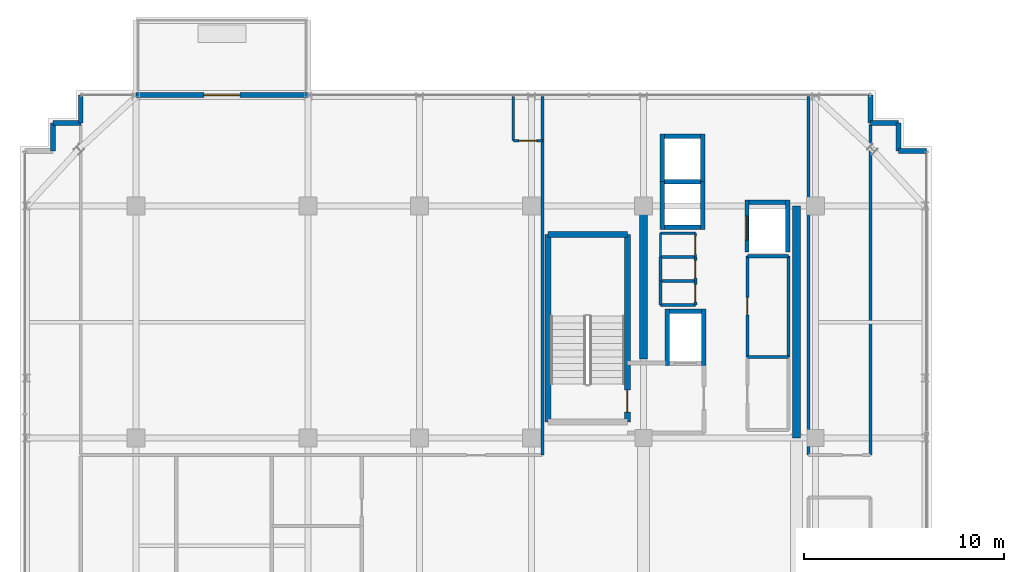
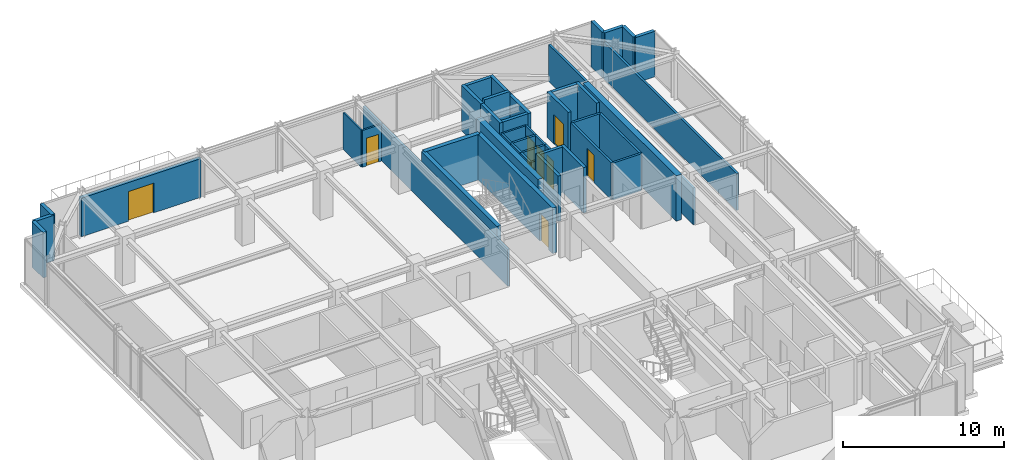
# One storey, part 26 of 31: 45 walls, 8 doors, 8 openings.
"""IFC4 building model written with IfcOpenShell, lengths in metres."""

from ifc_helpers import new_model, si_unit, direction, frame, frame_2d, origin, place, context, subcontext, project, spatial, rectangle, extrude, source, transform, mapped, material, layer, layer_set, type_object, element, fill, save


model = new_model("IFC4")

# Units and contexts
model_context = context("Model", 3, precision=1e-05, world=origin(), true_north=direction((0.0, 1.0)))
body_context = subcontext(model_context, "Body", "Model", "MODEL_VIEW")
ifc_project = project(units=[si_unit("LENGTHUNIT", "METRE"), si_unit("AREAUNIT", "SQUARE_METRE"), si_unit("VOLUMEUNIT", "CUBIC_METRE"), si_unit("PLANEANGLEUNIT", "RADIAN"), si_unit("MASSUNIT", "GRAM", prefix="KILO")], contexts=[model_context])

# Site, building, storey
site_placement = place(None, origin())
site = spatial("IfcSite", under=ifc_project, at=site_placement, CompositionType="ELEMENT")
building_placement = place(site_placement, origin())
building = spatial("IfcBuilding", under=site, at=building_placement, Name="Nahalor Promenade Grand Hotel", CompositionType="ELEMENT")
storey_placement = place(building_placement, frame((0.0, 0.0, 281.300048828125)))
storey = spatial("IfcBuildingStorey", under=building, at=storey_placement, Name="L72", CompositionType="ELEMENT", Elevation=281.300048828125)

# Walls
ifc_material_1 = material(Name="Concrete B-50 (C40/50)", Category="concrete")
ifc_layer_1 = layer(ifc_material_1, 0.39990234375)
ifc_layer_set_1 = layer_set([ifc_layer_1], Name="Concrete B-50 (C40/50)")
wall_type_1 = type_object("IfcWallType", Name="Wall-CoreShear-400", PredefinedType="SHEAR", material=ifc_layer_set_1)
shared_shape_1 = source(origin(), body_context, "Body", "SweptSolid", [
    extrude(rectangle(XDim=7.64990234375, YDim=0.39990234375, at=frame_2d((3.824951171875, 0.0))), origin(), (0.0, 0.0, 1.0), 3.449951171875),
])
wall_1_placement = place(storey_placement, frame((8.39990234375, 9.35009765625, 0.0), z_axis=(0.0, 0.0, 1.0), x_axis=(0.0, 1.0, 0.0)))
element("IfcWall", 1, at=wall_1_placement, inside=storey, type_object=wall_type_1, Name="CWALL-L72-NW", PredefinedType="SHEAR", context=body_context, shape_type="MappedRepresentation", body=[
    mapped(shared_shape_1, transform((0.0, 0.0, 0.0), scale=1.0)),
])
shared_shape_2 = source(origin(), body_context, "Body", "SweptSolid", [
    extrude(rectangle(XDim=11.60009765625, YDim=0.39990234375, at=frame_2d((5.800048828125, 0.0))), origin(), (0.0, 0.0, 1.0), 3.449951171875),
])
wall_2_placement = place(storey_placement, frame((16.050048828125, 5.39990234375, 0.0), z_axis=(0.0, 0.0, 1.0), x_axis=(0.0, 1.0, 0.0)))
element("IfcWall", 2, at=wall_2_placement, inside=storey, type_object=wall_type_1, Name="CWALL-L72-NE", PredefinedType="SHEAR", context=body_context, shape_type="MappedRepresentation", body=[
    mapped(shared_shape_2, transform((0.0, 0.0, 0.0), scale=1.0)),
])
ifc_layer_2 = layer(ifc_material_1, 0.300048828125)
ifc_layer_set_2 = layer_set([ifc_layer_2], Name="Concrete B-50 (C40/50)")
wall_type_2 = type_object("IfcWallType", Name="Wall-ShaftShear-300", PredefinedType="SHEAR", material=ifc_layer_set_2)
shared_shape_3 = source(origin(), body_context, "Body", "SweptSolid", [
    extrude(rectangle(XDim=3.97998046875, YDim=0.300048828125, at=frame_2d((1.989990234375, 0.0))), origin(), (0.0, 0.0, 1.0), 3.449951171875),
])
wall_3_placement = place(storey_placement, frame((3.610107421875, 15.590087890625, 0.0), z_axis=(0.0, 0.0, 1.0), x_axis=(1.0, 0.0, 0.0)))
element("IfcWall", 3, at=wall_3_placement, inside=storey, type_object=wall_type_2, Name="L72 Exit Stair ST1 Shaft Wall N", PredefinedType="SHEAR", context=body_context, shape_type="MappedRepresentation", body=[
    mapped(shared_shape_3, transform((0.0, 0.0, 0.0), scale=1.0)),
])
shared_shape_4 = source(origin(), body_context, "Body", "SweptSolid", [
    extrude(rectangle(XDim=9.380126953125, YDim=0.300048828125, at=frame_2d((4.68994140625, 0.0))), origin(), (0.0, 0.0, 1.0), 3.449951171875),
])
wall_4_placement = place(storey_placement, frame((3.610107421875, 6.2099609375, 0.0), z_axis=(0.0, 0.0, 1.0), x_axis=(0.0, 1.0, 0.0)))
element("IfcWall", 4, at=wall_4_placement, inside=storey, type_object=wall_type_2, Name="L72 Exit Stair ST1 Shaft Wall W", PredefinedType="SHEAR", context=body_context, shape_type="MappedRepresentation", body=[
    mapped(shared_shape_4, transform((0.0, 0.0, 0.0), scale=1.0)),
])

# Wall, opening, door
wall_5_placement = place(storey_placement, frame((7.590087890625, 6.2099609375, 0.0), z_axis=(0.0, 0.0, 1.0), x_axis=(0.0, 1.0, 0.0)))
wall_5 = element("IfcWall", 5, at=wall_5_placement, inside=storey, type_object=wall_type_2, Name="L72 Exit Stair ST1 Shaft Wall E", PredefinedType="SHEAR", context=body_context, shape_type="MappedRepresentation", body=[
    mapped(shared_shape_4, transform((0.0, 0.0, 0.0), scale=1.0)),
])
opening_1_placement = place(wall_5_placement, frame((0.489990234375, 0.0, 0.0)))
opening_1 = element("IfcOpeningElement", 6, at=opening_1_placement, cuts=wall_5, Name="Opening D-ST1", PredefinedType="OPENING", context=body_context, shape_type="SweptSolid", body=[
    extrude(rectangle(XDim=1.10009765625, YDim=2.14990234375, at=frame_2d((0.550048828125, 1.074951171875))), frame((0.0, 0.159912109375, 0.0), z_axis=(0.0, -1.0, 0.0), x_axis=(1.0, 0.0, 0.0)), (0.0, 0.0, 1.0), 0.320068359375),
])
ifc_material_2 = material(Name="Steel S355JR", Category="steel")
door_type_1 = type_object("IfcDoorType", Name="Door-StairFire-1100", OperationType="NOTDEFINED", PredefinedType="DOOR", material=ifc_material_2)
shared_shape_5 = source(origin(), body_context, "Body", "SweptSolid", [
    extrude(rectangle(XDim=1.10009765625, YDim=2.14990234375, at=frame_2d((0.550048828125, 1.074951171875))), frame((0.0, 0.02490234375, 0.0), z_axis=(0.0, -1.0, 0.0), x_axis=(1.0, 0.0, 0.0)), (0.0, 0.0, 1.0), 0.050048828125),
])
door_1_placement = place(opening_1_placement, origin())
door_1 = element("IfcDoor", 7, at=door_1_placement, inside=storey, type_object=door_type_1, Name="DR-STAIR-ST1-L72", OperationType="SINGLE_SWING_LEFT", OverallHeight=2.14990234375, OverallWidth=1.10009765625, PredefinedType="DOOR", context=body_context, shape_type="MappedRepresentation", body=[
    mapped(shared_shape_5, transform((0.0, 0.0, 0.0), scale=1.0)),
])
fill(opening_1, door_1)

# Walls
ifc_layer_3 = layer(ifc_material_1, 0.219970703125)
ifc_layer_set_3 = layer_set([ifc_layer_3], Name="Concrete B-50 (C40/50)")
wall_type_3 = type_object("IfcWallType", Name="Wall-LiftShaft-220", PredefinedType="SHEAR", material=ifc_layer_set_3)
shared_shape_6 = source(origin(), body_context, "Body", "SweptSolid", [
    extrude(rectangle(XDim=1.820068359375, YDim=0.219970703125, at=frame_2d((0.91015625, 0.0))), origin(), (0.0, 0.0, 1.0), 3.449951171875),
])
for number, where, z_axis, x_axis, name in (
    (8, (9.43994140625, 15.949951171875, 0.0), (0.0, 0.0, 1.0), (1.0, 0.0, 0.0), "L72 Lift OB1 Hoistway Wall S"),
    (9, (9.43994140625, 20.5, 0.0), (0.0, 0.0, 1.0), (1.0, 0.0, 0.0), "L72 Lift OB2 Hoistway Wall N"),
    (10, (13.68994140625, 17.199951171875, 0.0), (0.0, 0.0, 1.0), (1.0, 0.0, 0.0), "L72 Lift SV1 Hoistway Wall N"),
):
    element("IfcWall", number, at=place(storey_placement, frame(where, z_axis=z_axis, x_axis=x_axis)), inside=storey, type_object=wall_type_3, Name=name, PredefinedType="SHEAR", context=body_context, shape_type="MappedRepresentation", body=[
        mapped(shared_shape_6, transform((0.0, 0.0, 0.0), scale=1.0)),
    ])
shared_shape_7 = source(origin(), body_context, "Body", "SweptSolid", [
    extrude(rectangle(XDim=1.820068359375, YDim=0.219970703125, at=frame_2d((0.91015625, 0.0))), origin(), (0.0, 0.0, 1.0), 3.75),
])
wall_6_placement = place(storey_placement, frame((9.43994140625, 18.22509765625, 0.0), z_axis=(0.0, 0.0, 1.0), x_axis=(1.0, 0.0, 0.0)))
element("IfcWall", 11, at=wall_6_placement, inside=storey, type_object=wall_type_3, Name="L72 Lift OB1 Hoistway Wall N", PredefinedType="SHEAR", context=body_context, shape_type="MappedRepresentation", body=[
    mapped(shared_shape_7, transform((0.0, 0.0, 0.0), scale=1.0)),
])
shared_shape_8 = source(origin(), body_context, "Body", "SweptSolid", [
    extrude(rectangle(XDim=2.385009765625, YDim=0.219970703125, at=frame_2d((1.1923828125, 0.0))), origin(), (0.0, 0.0, 1.0), 3.449951171875),
])
for number, where, z_axis, x_axis, name in (
    (12, (9.330078125, 15.840087890625, 0.0), (0.0, 0.0, 1.0), (0.0, 1.0, 0.0), "L72 Lift OB1 Hoistway Wall W"),
    (13, (11.3701171875, 15.840087890625, 0.0), (0.0, 0.0, 1.0), (0.0, 1.0, 0.0), "L72 Lift OB1 Hoistway Wall E"),
    (14, (9.330078125, 18.22509765625, 0.0), (0.0, 0.0, 1.0), (0.0, 1.0, 0.0), "L72 Lift OB2 Hoistway Wall W"),
    (15, (11.3701171875, 18.22509765625, 0.0), (0.0, 0.0, 1.0), (0.0, 1.0, 0.0), "L72 Lift OB2 Hoistway Wall E"),
):
    element("IfcWall", number, at=place(storey_placement, frame(where, z_axis=z_axis, x_axis=x_axis)), inside=storey, type_object=wall_type_3, Name=name, PredefinedType="SHEAR", context=body_context, shape_type="MappedRepresentation", body=[
        mapped(shared_shape_8, transform((0.0, 0.0, 0.0), scale=1.0)),
    ])
shared_shape_9 = source(origin(), body_context, "Body", "SweptSolid", [
    extrude(rectangle(XDim=2.820068359375, YDim=0.219970703125, at=frame_2d((1.41015625, 0.0))), origin(), (0.0, 0.0, 1.0), 3.449951171875),
])
for number, where, z_axis, x_axis, name in (
    (16, (9.580078125, 9.0400390625, 0.0), (0.0, 0.0, 1.0), (0.0, 1.0, 0.0), "L72 Lift FL1 Hoistway Wall W"),
    (17, (11.419921875, 9.0400390625, 0.0), (0.0, 0.0, 1.0), (0.0, 1.0, 0.0), "L72 Lift FL1 Hoistway Wall E"),
):
    element("IfcWall", number, at=place(storey_placement, frame(where, z_axis=z_axis, x_axis=x_axis)), inside=storey, type_object=wall_type_3, Name=name, PredefinedType="SHEAR", context=body_context, shape_type="MappedRepresentation", body=[
        mapped(shared_shape_9, transform((0.0, 0.0, 0.0), scale=1.0)),
    ])
shared_shape_10 = source(origin(), body_context, "Body", "SweptSolid", [
    extrude(rectangle(XDim=1.6201171875, YDim=0.219970703125, at=frame_2d((0.81005859375, 0.0))), origin(), (0.0, 0.0, 1.0), 3.449951171875),
])
wall_7_placement = place(storey_placement, frame((9.68994140625, 11.75, 0.0), z_axis=(0.0, 0.0, 1.0), x_axis=(1.0, 0.0, 0.0)))
element("IfcWall", 18, at=wall_7_placement, inside=storey, type_object=wall_type_3, Name="L72 Lift FL1 Hoistway Wall N", PredefinedType="SHEAR", context=body_context, shape_type="MappedRepresentation", body=[
    mapped(shared_shape_10, transform((0.0, 0.0, 0.0), scale=1.0)),
])

# Wall, opening, door
shared_shape_11 = source(origin(), body_context, "Body", "SweptSolid", [
    extrude(rectangle(XDim=2.610107421875, YDim=0.219970703125, at=frame_2d((1.30517578125, 0.0))), origin(), (0.0, 0.0, 1.0), 3.449951171875),
])
wall_8_placement = place(storey_placement, frame((13.580078125, 14.699951171875, 0.0), z_axis=(0.0, 0.0, 1.0), x_axis=(0.0, 1.0, 0.0)))
wall_8 = element("IfcWall", 19, at=wall_8_placement, inside=storey, type_object=wall_type_3, Name="L72 Lift SV1 Hoistway Wall W", PredefinedType="SHEAR", context=body_context, shape_type="MappedRepresentation", body=[
    mapped(shared_shape_11, transform((0.0, 0.0, 0.0), scale=1.0)),
])
opening_2_placement = place(wall_8_placement, frame((0.60009765625, 0.0, 0.0)))
opening_2 = element("IfcOpeningElement", 20, at=opening_2_placement, cuts=wall_8, Name="Opening LD-03", PredefinedType="OPENING", context=body_context, shape_type="SweptSolid", body=[
    extrude(rectangle(XDim=1.199951171875, YDim=2.199951171875, at=frame_2d((0.60009765625, 1.10009765625))), frame((0.0, 0.119873046875, 0.0), z_axis=(0.0, -1.0, 0.0), x_axis=(1.0, 0.0, 0.0)), (0.0, 0.0, 1.0), 0.239990234375),
])
door_type_2 = type_object("IfcDoorType", Name="Door-LiftService-1200", OperationType="DOUBLE_DOOR_SLIDING", PredefinedType="DOOR", material=ifc_material_2)
shared_shape_12 = source(origin(), body_context, "Body", "SweptSolid", [
    extrude(rectangle(XDim=1.199951171875, YDim=2.199951171875, at=frame_2d((0.60009765625, 1.10009765625))), frame((0.0, 0.02490234375, 0.0), z_axis=(0.0, -1.0, 0.0), x_axis=(1.0, 0.0, 0.0)), (0.0, 0.0, 1.0), 0.050048828125),
])
door_2_placement = place(opening_2_placement, origin())
door_2 = element("IfcDoor", 21, at=door_2_placement, inside=storey, type_object=door_type_2, Name="DR-LIFT-SV1-L72", OperationType="DOUBLE_DOOR_SLIDING", OverallHeight=2.199951171875, OverallWidth=1.199951171875, PredefinedType="DOOR", context=body_context, shape_type="MappedRepresentation", body=[
    mapped(shared_shape_12, transform((0.0, 0.0, 0.0), scale=1.0)),
])
fill(opening_2, door_2)

# Walls
wall_9_placement = place(storey_placement, frame((15.6201171875, 14.699951171875, 0.0), z_axis=(0.0, 0.0, 1.0), x_axis=(0.0, 1.0, 0.0)))
element("IfcWall", 22, at=wall_9_placement, inside=storey, type_object=wall_type_3, Name="L72 Lift SV1 Hoistway Wall E", PredefinedType="SHEAR", context=body_context, shape_type="MappedRepresentation", body=[
    mapped(shared_shape_11, transform((0.0, 0.0, 0.0), scale=1.0)),
])
ifc_material_3 = material(Name="Concrete B-40 (C32/40)", Category="concrete")
ifc_layer_4 = layer(ifc_material_3, 0.25)
ifc_layer_set_4 = layer_set([ifc_layer_4], Name="Concrete B-40 (C32/40)")
wall_type_4 = type_object("IfcWallType", Name="Wall-BronzePier-250", PredefinedType="STANDARD", material=ifc_layer_set_4)
shared_shape_13 = source(origin(), body_context, "Body", "SweptSolid", [
    extrude(rectangle(XDim=1.400146484375, YDim=0.25, at=frame_2d((0.7001953125, 0.0))), origin(), (0.0, 0.0, 1.0), 3.449951171875),
])
for number, where, z_axis, x_axis, name in (
    (23, (21.159912109375, 19.760009765625, 0.0), (0.0, 0.0, 1.0), (1.0, 0.0, 0.0), "W-L72-SR-05"),
    (24, (19.760009765625, 21.159912109375, 0.0), (0.0, 0.0, 1.0), (0.0, 1.0, 0.0), "W-L72-SR-08"),
    (25, (-19.760009765625, 21.159912109375, 0.0), (0.0, 0.0, 1.0), (0.0, 1.0, 0.0), "W-L72-SR-09"),
):
    element("IfcWall", number, at=place(storey_placement, frame(where, z_axis=z_axis, x_axis=x_axis)), inside=storey, type_object=wall_type_4, Name=name, PredefinedType="STANDARD", context=body_context, shape_type="MappedRepresentation", body=[
        mapped(shared_shape_13, transform((0.0, 0.0, 0.0), scale=1.0)),
    ])
shared_shape_14 = source(origin(), body_context, "Body", "SweptSolid", [
    extrude(rectangle(XDim=1.39990234375, YDim=0.25, at=frame_2d((0.699951171875, 0.0))), origin(), (0.0, 0.0, 1.0), 3.449951171875),
])
for number, where, z_axis, x_axis, name in (
    (26, (21.159912109375, 19.760009765625, 0.0), (0.0, 0.0, 1.0), (0.0, 1.0, 0.0), "W-L72-SR-06"),
    (27, (19.760009765625, 21.159912109375, 0.0), (0.0, 0.0, 1.0), (1.0, 0.0, 0.0), "W-L72-SR-07"),
    (28, (-21.159912109375, 21.159912109375, 0.0), (0.0, 0.0, 1.0), (1.0, 0.0, 0.0), "W-L72-SR-10"),
    (29, (-21.159912109375, 19.760009765625, 0.0), (0.0, 0.0, 1.0), (0.0, 1.0, 0.0), "W-L72-SR-11"),
):
    element("IfcWall", number, at=place(storey_placement, frame(where, z_axis=z_axis, x_axis=x_axis)), inside=storey, type_object=wall_type_4, Name=name, PredefinedType="STANDARD", context=body_context, shape_type="MappedRepresentation", body=[
        mapped(shared_shape_14, transform((0.0, 0.0, 0.0), scale=1.0)),
    ])

# Wall, opening, door
ifc_layer_5 = layer(ifc_material_3, 0.260009765625)
ifc_layer_set_5 = layer_set([ifc_layer_5], Name="Concrete B-40 (C32/40)")
wall_type_5 = type_object("IfcWallType", Name="Wall-BalconyWall-260", PredefinedType="STANDARD", material=ifc_layer_set_5)
shared_shape_15 = source(origin(), body_context, "Body", "SweptSolid", [
    extrude(rectangle(XDim=8.60009765625, YDim=0.260009765625, at=frame_2d((4.300048828125, 0.0))), origin(), (0.0, 0.0, 1.0), 2.929931640625),
])
wall_10_placement = place(storey_placement, frame((-17.0, 22.56005859375, 0.0), z_axis=(0.0, 0.0, 1.0), x_axis=(1.0, 0.0, 0.0)))
wall_10 = element("IfcWall", 30, at=wall_10_placement, inside=storey, type_object=wall_type_5, Name="W-L72-BALC-N-2", PredefinedType="STANDARD", context=body_context, shape_type="MappedRepresentation", body=[
    mapped(shared_shape_15, transform((0.0, 0.0, 0.0), scale=1.0)),
])
opening_3_placement = place(wall_10_placement, frame((3.39990234375, 0.0, 0.0)))
opening_3 = element("IfcOpeningElement", 31, at=opening_3_placement, cuts=wall_10, Name="Opening D-BC1", PredefinedType="OPENING", context=body_context, shape_type="SweptSolid", body=[
    extrude(rectangle(XDim=1.800048828125, YDim=2.25, at=frame_2d((0.89990234375, 1.125))), frame((0.0, 0.139892578125, 0.0), z_axis=(0.0, -1.0, 0.0), x_axis=(1.0, 0.0, 0.0)), (0.0, 0.0, 1.0), 0.280029296875),
])
ifc_material_4 = material(Name="Anodised Bronze Aluminium EN AW-6063 T6", Category="aluminium")
door_type_3 = type_object("IfcDoorType", Name="Door-BalconySlide-1800", OperationType="DOUBLE_DOOR_SLIDING", PredefinedType="DOOR", material=ifc_material_4)
shared_shape_16 = source(origin(), body_context, "Body", "SweptSolid", [
    extrude(rectangle(XDim=1.800048828125, YDim=2.25, at=frame_2d((0.89990234375, 1.125))), frame((0.0, 0.02490234375, 0.0), z_axis=(0.0, -1.0, 0.0), x_axis=(1.0, 0.0, 0.0)), (0.0, 0.0, 1.0), 0.050048828125),
])
door_3_placement = place(opening_3_placement, origin())
door_3 = element("IfcDoor", 32, at=door_3_placement, inside=storey, type_object=door_type_3, Name="DR-L72-BALC-N-2", OperationType="DOUBLE_DOOR_SLIDING", OverallHeight=2.25, OverallWidth=1.800048828125, PredefinedType="DOOR", context=body_context, shape_type="MappedRepresentation", body=[
    mapped(shared_shape_16, transform((0.0, 0.0, 0.0), scale=1.0)),
])
fill(opening_3, door_3)

# Walls
ifc_material_5 = material(Name="Acoustic Mineral Gypsum", Category="gypsum")
ifc_layer_6 = layer(ifc_material_5, 0.14990234375)
ifc_layer_set_6 = layer_set([ifc_layer_6], Name="Acoustic Mineral Gypsum")
wall_type_6 = type_object("IfcWallType", Name="Wall-PartService-150", PredefinedType="PARTITIONING", material=ifc_layer_set_6)
shared_shape_17 = source(origin(), body_context, "Body", "SweptSolid", [
    extrude(rectangle(XDim=1.75, YDim=0.14990234375, at=frame_2d((0.875, 0.0))), origin(), (0.0, 0.0, 1.0), 2.7900390625),
])
for number, where, z_axis, x_axis, name in (
    (33, (9.25, 12.050048828125, 0.0), (0.0, 0.0, 1.0), (1.0, 0.0, 0.0), "W-L72-CK3A-S"),
    (34, (9.25, 13.25, 0.0), (0.0, 0.0, 1.0), (1.0, 0.0, 0.0), "W-L72-CK3A-N"),
    (35, (9.25, 14.449951171875, 0.0), (0.0, 0.0, 1.0), (1.0, 0.0, 0.0), "W-L72-CK3B-N"),
):
    element("IfcWall", number, at=place(storey_placement, frame(where, z_axis=z_axis, x_axis=x_axis)), inside=storey, type_object=wall_type_6, Name=name, PredefinedType="PARTITIONING", context=body_context, shape_type="MappedRepresentation", body=[
        mapped(shared_shape_17, transform((0.0, 0.0, 0.0), scale=1.0)),
    ])
ifc_layer_7 = layer(ifc_material_5, 0.1201171875)
ifc_layer_set_7 = layer_set([ifc_layer_7], Name="Acoustic Mineral Gypsum")
wall_type_7 = type_object("IfcWallType", Name="Wall-PartBath-120", PredefinedType="PARTITIONING", material=ifc_layer_set_7)
shared_shape_18 = source(origin(), body_context, "Body", "SweptSolid", [
    extrude(rectangle(XDim=1.75, YDim=0.1201171875, at=frame_2d((0.875, 0.0))), origin(), (0.0, 0.0, 1.0), 2.7900390625),
])
wall_11_placement = place(storey_placement, frame((9.25, 15.64990234375, 0.0), z_axis=(0.0, 0.0, 1.0), x_axis=(1.0, 0.0, 0.0)))
element("IfcWall", 36, at=wall_11_placement, inside=storey, type_object=wall_type_7, Name="W-L72-CK3C-N", PredefinedType="PARTITIONING", context=body_context, shape_type="MappedRepresentation", body=[
    mapped(shared_shape_18, transform((0.0, 0.0, 0.0), scale=1.0)),
])
ifc_layer_8 = layer(ifc_material_5, 0.159912109375)
ifc_layer_set_8 = layer_set([ifc_layer_8], Name="Acoustic Mineral Gypsum")
wall_type_8 = type_object("IfcWallType", Name="Wall-PartCorridor-160", PredefinedType="PARTITIONING", material=ifc_layer_set_8)
shared_shape_19 = source(origin(), body_context, "Body", "SweptSolid", [
    extrude(rectangle(XDim=2.0498046875, YDim=0.159912109375, at=frame_2d((1.02490234375, 0.0))), origin(), (0.0, 0.0, 1.0), 2.7900390625),
])
for number, where, z_axis, x_axis, name in (
    (37, (13.60009765625, 9.449951171875, 0.0), (0.0, 0.0, 1.0), (1.0, 0.0, 0.0), "W-L72-FRB1A-N"),
    (38, (13.60009765625, 14.5, 0.0), (0.0, 0.0, 1.0), (1.0, 0.0, 0.0), "W-L72-FRB1B-N"),
):
    element("IfcWall", number, at=place(storey_placement, frame(where, z_axis=z_axis, x_axis=x_axis)), inside=storey, type_object=wall_type_8, Name=name, PredefinedType="PARTITIONING", context=body_context, shape_type="MappedRepresentation", body=[
        mapped(shared_shape_19, transform((0.0, 0.0, 0.0), scale=1.0)),
    ])
shared_shape_20 = source(origin(), body_context, "Body", "SweptSolid", [
    extrude(rectangle(XDim=17.949951171875, YDim=0.159912109375, at=frame_2d((8.97509765625, 0.0))), origin(), (0.0, 0.0, 1.0), 2.7900390625),
])
wall_12_placement = place(storey_placement, frame((16.64990234375, 4.550048828125, 0.0), z_axis=(0.0, 0.0, 1.0), x_axis=(0.0, 1.0, 0.0)))
element("IfcWall", 39, at=wall_12_placement, inside=storey, type_object=wall_type_8, Name="W-L72-ENE-W", PredefinedType="PARTITIONING", context=body_context, shape_type="MappedRepresentation", body=[
    mapped(shared_shape_20, transform((0.0, 0.0, 0.0), scale=1.0)),
])
shared_shape_21 = source(origin(), body_context, "Body", "SweptSolid", [
    extrude(rectangle(XDim=16.530029296875, YDim=0.159912109375, at=frame_2d((8.26513671875, 0.0))), origin(), (0.0, 0.0, 1.0), 2.7900390625),
])
wall_13_placement = place(storey_placement, frame((19.760009765625, 4.550048828125, 0.0), z_axis=(0.0, 0.0, 1.0), x_axis=(0.0, 1.0, 0.0)))
element("IfcWall", 40, at=wall_13_placement, inside=storey, type_object=wall_type_8, Name="W-L72-ENE-E", PredefinedType="PARTITIONING", context=body_context, shape_type="MappedRepresentation", body=[
    mapped(shared_shape_21, transform((0.0, 0.0, 0.0), scale=1.0)),
])
ifc_layer_9 = layer(ifc_material_5, 0.139892578125)
ifc_layer_set_9 = layer_set([ifc_layer_9], Name="Acoustic Mineral Gypsum")
wall_type_9 = type_object("IfcWallType", Name="Wall-PartSuite-140", PredefinedType="PARTITIONING", material=ifc_layer_set_9)
shared_shape_22 = source(origin(), body_context, "Body", "SweptSolid", [
    extrude(rectangle(XDim=17.949951171875, YDim=0.139892578125, at=frame_2d((8.97509765625, 0.0))), origin(), (0.0, 0.0, 1.0), 2.7900390625),
])
wall_14_placement = place(storey_placement, frame((3.340087890625, 4.550048828125, 0.0), z_axis=(0.0, 0.0, 1.0), x_axis=(0.0, 1.0, 0.0)))
element("IfcWall", 41, at=wall_14_placement, inside=storey, type_object=wall_type_9, Name="W-L72-NW-ENDE", PredefinedType="PARTITIONING", context=body_context, shape_type="MappedRepresentation", body=[
    mapped(shared_shape_22, transform((0.0, 0.0, 0.0), scale=1.0)),
])
shared_shape_23 = source(origin(), body_context, "Body", "SweptSolid", [
    extrude(rectangle(XDim=2.219970703125, YDim=0.1201171875, at=frame_2d((1.10986328125, 0.0))), origin(), (0.0, 0.0, 1.0), 2.7900390625),
])
wall_15_placement = place(storey_placement, frame((1.889892578125, 20.280029296875, 0.0), z_axis=(0.0, 0.0, 1.0), x_axis=(0.0, 1.0, 0.0)))
element("IfcWall", 42, at=wall_15_placement, inside=storey, type_object=wall_type_7, Name="W-L72-N1-BV", PredefinedType="PARTITIONING", context=body_context, shape_type="MappedRepresentation", body=[
    mapped(shared_shape_23, transform((0.0, 0.0, 0.0), scale=1.0)),
])

# Wall, opening, door
shared_shape_24 = source(origin(), body_context, "Body", "SweptSolid", [
    extrude(rectangle(XDim=1.4501953125, YDim=0.1201171875, at=frame_2d((0.72509765625, 0.0))), origin(), (0.0, 0.0, 1.0), 2.7900390625),
])
wall_16_placement = place(storey_placement, frame((1.889892578125, 20.280029296875, 0.0), z_axis=(0.0, 0.0, 1.0), x_axis=(1.0, 0.0, 0.0)))
wall_16 = element("IfcWall", 43, at=wall_16_placement, inside=storey, type_object=wall_type_7, Name="W-L72-N1-BH", PredefinedType="PARTITIONING", context=body_context, shape_type="MappedRepresentation", body=[
    mapped(shared_shape_24, transform((0.0, 0.0, 0.0), scale=1.0)),
])
opening_4_placement = place(wall_16_placement, frame((0.284912109375, 0.0, 0.0)))
opening_4 = element("IfcOpeningElement", 44, at=opening_4_placement, cuts=wall_16, Name="Opening D-03", PredefinedType="OPENING", context=body_context, shape_type="SweptSolid", body=[
    extrude(rectangle(XDim=0.8798828125, YDim=2.10009765625, at=frame_2d((0.43994140625, 1.050048828125))), frame((0.0, 0.070068359375, 0.0), z_axis=(0.0, -1.0, 0.0), x_axis=(1.0, 0.0, 0.0)), (0.0, 0.0, 1.0), 0.14013671875),
])
ifc_material_6 = material(Name="Fire-Rated Timber Composite", Category="wood")
door_type_4 = type_object("IfcDoorType", Name="Door-BathSwing-880", OperationType="NOTDEFINED", PredefinedType="DOOR", material=ifc_material_6)
shared_shape_25 = source(origin(), body_context, "Body", "SweptSolid", [
    extrude(rectangle(XDim=0.8798828125, YDim=2.10009765625, at=frame_2d((0.43994140625, 1.050048828125))), frame((0.0, 0.02490234375, 0.0), z_axis=(0.0, -1.0, 0.0), x_axis=(1.0, 0.0, 0.0)), (0.0, 0.0, 1.0), 0.050048828125),
])
door_4_placement = place(opening_4_placement, origin())
door_4 = element("IfcDoor", 45, at=door_4_placement, inside=storey, type_object=door_type_4, Name="DR-L72-N1-BATH", OperationType="SINGLE_SWING_LEFT", OverallHeight=2.10009765625, OverallWidth=0.8798828125, PredefinedType="DOOR", context=body_context, shape_type="MappedRepresentation", body=[
    mapped(shared_shape_25, transform((0.0, 0.0, 0.0), scale=1.0)),
])
fill(opening_4, door_4)

# Wall
shared_shape_26 = source(origin(), body_context, "Body", "SweptSolid", [
    extrude(rectangle(XDim=1.199951171875, YDim=0.14990234375, at=frame_2d((0.60009765625, 0.0))), origin(), (0.0, 0.0, 1.0), 2.7900390625),
])
wall_17_placement = place(storey_placement, frame((9.25, 12.050048828125, 0.0), z_axis=(0.0, 0.0, 1.0), x_axis=(0.0, 1.0, 0.0)))
element("IfcWall", 46, at=wall_17_placement, inside=storey, type_object=wall_type_6, Name="W-L72-CK3A-W", PredefinedType="PARTITIONING", context=body_context, shape_type="MappedRepresentation", body=[
    mapped(shared_shape_26, transform((0.0, 0.0, 0.0), scale=1.0)),
])

# Wall, opening, door
wall_18_placement = place(storey_placement, frame((11.0, 12.050048828125, 0.0), z_axis=(0.0, 0.0, 1.0), x_axis=(0.0, 1.0, 0.0)))
wall_18 = element("IfcWall", 47, at=wall_18_placement, inside=storey, type_object=wall_type_6, Name="W-L72-CK3A-E", PredefinedType="PARTITIONING", context=body_context, shape_type="MappedRepresentation", body=[
    mapped(shared_shape_26, transform((0.0, 0.0, 0.0), scale=1.0)),
])
opening_5_placement = place(wall_18_placement, frame((0.159912109375, 0.0, 0.0)))
opening_5 = element("IfcOpeningElement", 48, at=opening_5_placement, cuts=wall_18, Name="Opening D-03", PredefinedType="OPENING", context=body_context, shape_type="SweptSolid", body=[
    extrude(rectangle(XDim=0.8798828125, YDim=2.10009765625, at=frame_2d((0.43994140625, 1.050048828125))), frame((0.0, 0.0849609375, 0.0), z_axis=(0.0, -1.0, 0.0), x_axis=(1.0, 0.0, 0.0)), (0.0, 0.0, 1.0), 0.169921875),
])
door_5_placement = place(opening_5_placement, origin())
door_5 = element("IfcDoor", 49, at=door_5_placement, inside=storey, type_object=door_type_4, Name="DR-L72-CK3A", OperationType="SINGLE_SWING_RIGHT", OverallHeight=2.10009765625, OverallWidth=0.8798828125, PredefinedType="DOOR", context=body_context, shape_type="MappedRepresentation", body=[
    mapped(shared_shape_25, transform((0.0, 0.0, 0.0), scale=1.0)),
])
fill(opening_5, door_5)

# Wall
wall_19_placement = place(storey_placement, frame((9.25, 13.25, 0.0), z_axis=(0.0, 0.0, 1.0), x_axis=(0.0, 1.0, 0.0)))
element("IfcWall", 50, at=wall_19_placement, inside=storey, type_object=wall_type_6, Name="W-L72-CK3B-W", PredefinedType="PARTITIONING", context=body_context, shape_type="MappedRepresentation", body=[
    mapped(shared_shape_26, transform((0.0, 0.0, 0.0), scale=1.0)),
])

# Wall, opening, door
wall_20_placement = place(storey_placement, frame((11.0, 13.25, 0.0), z_axis=(0.0, 0.0, 1.0), x_axis=(0.0, 1.0, 0.0)))
wall_20 = element("IfcWall", 51, at=wall_20_placement, inside=storey, type_object=wall_type_6, Name="W-L72-CK3B-E", PredefinedType="PARTITIONING", context=body_context, shape_type="MappedRepresentation", body=[
    mapped(shared_shape_26, transform((0.0, 0.0, 0.0), scale=1.0)),
])
opening_6_placement = place(wall_20_placement, frame((0.159912109375, 0.0, 0.0)))
opening_6 = element("IfcOpeningElement", 52, at=opening_6_placement, cuts=wall_20, Name="Opening D-03", PredefinedType="OPENING", context=body_context, shape_type="SweptSolid", body=[
    extrude(rectangle(XDim=0.8798828125, YDim=2.10009765625, at=frame_2d((0.43994140625, 1.050048828125))), frame((0.0, 0.0849609375, 0.0), z_axis=(0.0, -1.0, 0.0), x_axis=(1.0, 0.0, 0.0)), (0.0, 0.0, 1.0), 0.169921875),
])
door_6_placement = place(opening_6_placement, origin())
door_6 = element("IfcDoor", 53, at=door_6_placement, inside=storey, type_object=door_type_4, Name="DR-L72-CK3B", OperationType="SINGLE_SWING_LEFT", OverallHeight=2.10009765625, OverallWidth=0.8798828125, PredefinedType="DOOR", context=body_context, shape_type="MappedRepresentation", body=[
    mapped(shared_shape_25, transform((0.0, 0.0, 0.0), scale=1.0)),
])
fill(opening_6, door_6)

# Wall
shared_shape_27 = source(origin(), body_context, "Body", "SweptSolid", [
    extrude(rectangle(XDim=1.199951171875, YDim=0.1201171875, at=frame_2d((0.60009765625, 0.0))), origin(), (0.0, 0.0, 1.0), 2.7900390625),
])
wall_21_placement = place(storey_placement, frame((9.25, 14.449951171875, 0.0), z_axis=(0.0, 0.0, 1.0), x_axis=(0.0, 1.0, 0.0)))
element("IfcWall", 54, at=wall_21_placement, inside=storey, type_object=wall_type_7, Name="W-L72-CK3C-W", PredefinedType="PARTITIONING", context=body_context, shape_type="MappedRepresentation", body=[
    mapped(shared_shape_27, transform((0.0, 0.0, 0.0), scale=1.0)),
])

# Wall, opening, door
wall_22_placement = place(storey_placement, frame((11.0, 14.449951171875, 0.0), z_axis=(0.0, 0.0, 1.0), x_axis=(0.0, 1.0, 0.0)))
wall_22 = element("IfcWall", 55, at=wall_22_placement, inside=storey, type_object=wall_type_7, Name="W-L72-CK3C-E", PredefinedType="PARTITIONING", context=body_context, shape_type="MappedRepresentation", body=[
    mapped(shared_shape_27, transform((0.0, 0.0, 0.0), scale=1.0)),
])
opening_7_placement = place(wall_22_placement, frame((0.159912109375, 0.0, 0.0)))
opening_7 = element("IfcOpeningElement", 56, at=opening_7_placement, cuts=wall_22, Name="Opening D-03", PredefinedType="OPENING", context=body_context, shape_type="SweptSolid", body=[
    extrude(rectangle(XDim=0.8798828125, YDim=2.10009765625, at=frame_2d((0.43994140625, 1.050048828125))), frame((0.0, 0.070068359375, 0.0), z_axis=(0.0, -1.0, 0.0), x_axis=(1.0, 0.0, 0.0)), (0.0, 0.0, 1.0), 0.14013671875),
])
door_7_placement = place(opening_7_placement, origin())
door_7 = element("IfcDoor", 57, at=door_7_placement, inside=storey, type_object=door_type_4, Name="DR-L72-CK3C", OperationType="SINGLE_SWING_RIGHT", OverallHeight=2.10009765625, OverallWidth=0.8798828125, PredefinedType="DOOR", context=body_context, shape_type="MappedRepresentation", body=[
    mapped(shared_shape_25, transform((0.0, 0.0, 0.0), scale=1.0)),
])
fill(opening_7, door_7)

shared_shape_28 = source(origin(), body_context, "Body", "SweptSolid", [
    extrude(rectangle(XDim=5.050048828125, YDim=0.159912109375, at=frame_2d((2.52490234375, 0.0))), origin(), (0.0, 0.0, 1.0), 2.7900390625),
])
wall_23_placement = place(storey_placement, frame((13.60009765625, 9.449951171875, 0.0), z_axis=(0.0, 0.0, 1.0), x_axis=(0.0, 1.0, 0.0)))
wall_23 = element("IfcWall", 58, at=wall_23_placement, inside=storey, type_object=wall_type_8, Name="W-L72-FRB1B-W", PredefinedType="PARTITIONING", context=body_context, shape_type="MappedRepresentation", body=[
    mapped(shared_shape_28, transform((0.0, 0.0, 0.0), scale=1.0)),
])
opening_8_placement = place(wall_23_placement, frame((2.110107421875, 0.0, 0.0)))
opening_8 = element("IfcOpeningElement", 59, at=opening_8_placement, cuts=wall_23, Name="Opening D-03", PredefinedType="OPENING", context=body_context, shape_type="SweptSolid", body=[
    extrude(rectangle(XDim=0.8798828125, YDim=2.10009765625, at=frame_2d((0.43994140625, 1.050048828125))), frame((0.0, 0.08984375, 0.0), z_axis=(0.0, -1.0, 0.0), x_axis=(1.0, 0.0, 0.0)), (0.0, 0.0, 1.0), 0.179931640625),
])
door_8_placement = place(opening_8_placement, frame((0.8798828125, 0.0, 0.0), z_axis=(0.0, 0.0, 1.0), x_axis=(-1.0, 0.0, 0.0)))
door_8 = element("IfcDoor", 60, at=door_8_placement, inside=storey, type_object=door_type_4, Name="DR-L72-FRB1B", OperationType="SINGLE_SWING_RIGHT", OverallHeight=2.10009765625, OverallWidth=0.8798828125, PredefinedType="DOOR", context=body_context, shape_type="MappedRepresentation", body=[
    mapped(shared_shape_25, transform((0.0, 0.0, 0.0), scale=1.0)),
])
fill(opening_8, door_8)

# Wall
wall_24_placement = place(storey_placement, frame((15.64990234375, 9.449951171875, 0.0), z_axis=(0.0, 0.0, 1.0), x_axis=(0.0, 1.0, 0.0)))
element("IfcWall", 61, at=wall_24_placement, inside=storey, type_object=wall_type_8, Name="W-L72-FRB1B-E", PredefinedType="PARTITIONING", context=body_context, shape_type="MappedRepresentation", body=[
    mapped(shared_shape_28, transform((0.0, 0.0, 0.0), scale=1.0)),
])

save(model, "model.ifc")
